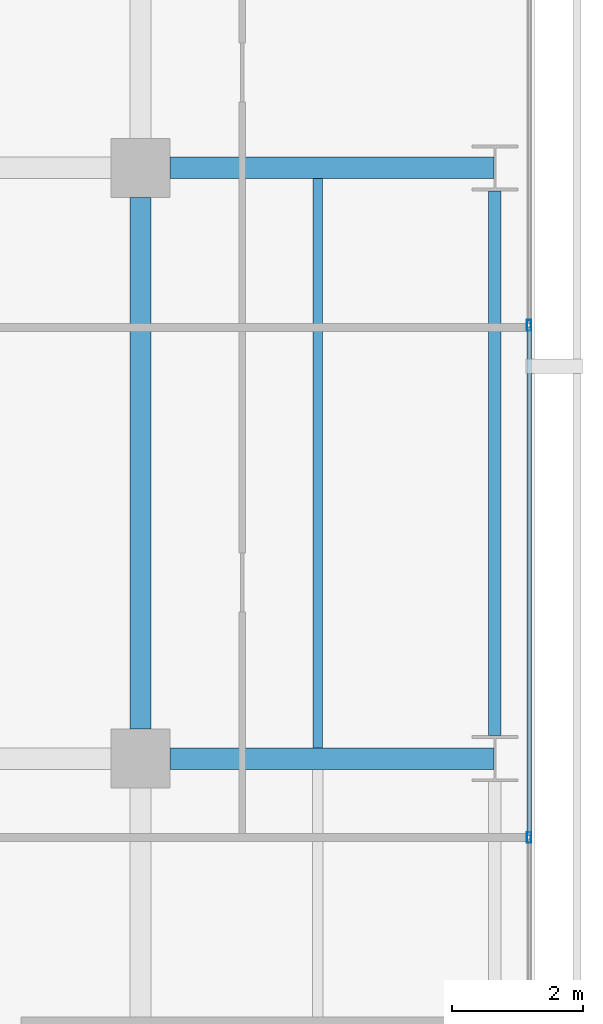
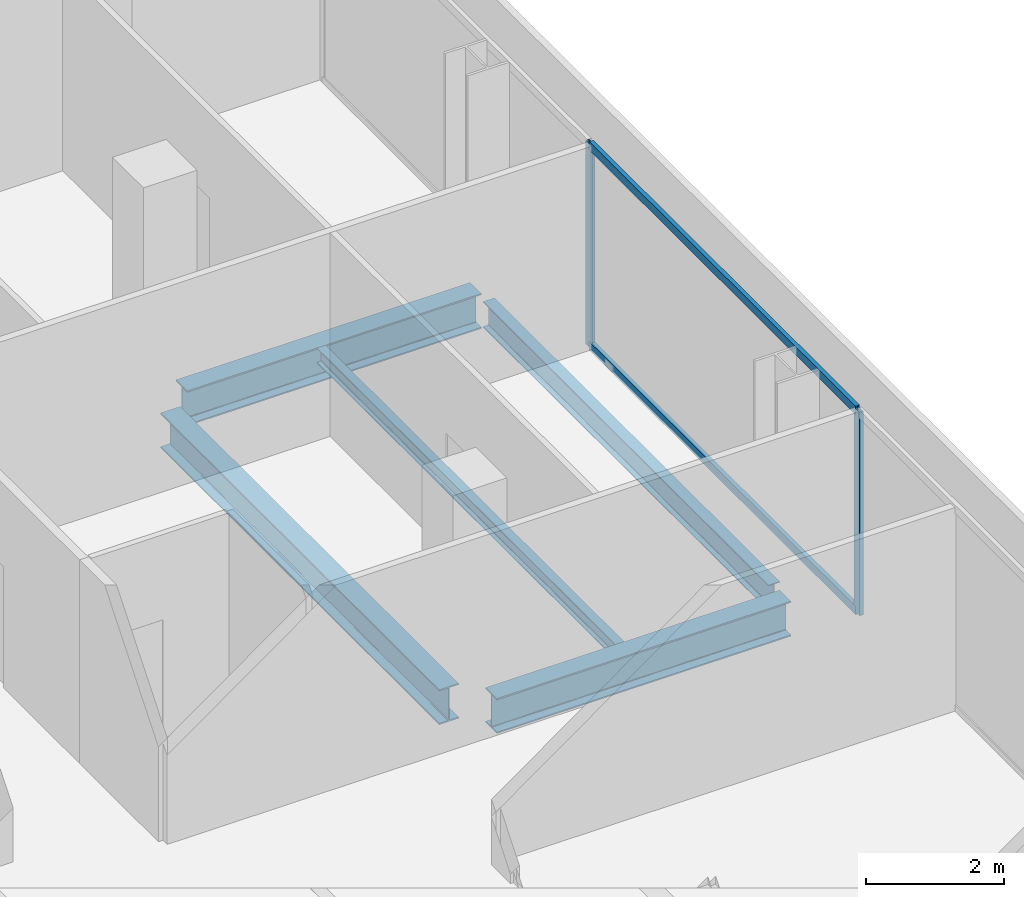
# One storey, part 28 of 40: 5 beams, 4 members, 1 element without a shape of its own.
"""IFC4 building model written with IfcOpenShell, lengths in metres."""

from ifc_helpers import new_model, si_unit, direction, frame, origin, origin_2d, place, context, subcontext, project, spatial, hollow_rectangle, i_section, extrude, material, layer, layer_set, material_profile, profile_set, type_object, element, aggregate, save


model = new_model("IFC4")

# Units and contexts
model_context = context("Model", 3, precision=1e-05, world=origin(), true_north=direction((0.0, 1.0)))
body_context = subcontext(model_context, "Body", "Model", "MODEL_VIEW")
ifc_project = project(units=[si_unit("LENGTHUNIT", "METRE"), si_unit("AREAUNIT", "SQUARE_METRE"), si_unit("VOLUMEUNIT", "CUBIC_METRE"), si_unit("PLANEANGLEUNIT", "RADIAN"), si_unit("MASSUNIT", "GRAM", prefix="KILO")], contexts=[model_context])

# Site, building, storey
site_placement = place(None, origin())
site = spatial("IfcSite", under=ifc_project, at=site_placement, CompositionType="ELEMENT")
building_placement = place(site_placement, origin())
building = spatial("IfcBuilding", under=site, at=building_placement, Name="Maruvema Waterfront Hotel and Observation Tower", CompositionType="ELEMENT")
storey_placement = place(building_placement, frame((0.0, 0.0, 53.89990234375)))
storey = spatial("IfcBuildingStorey", under=building, at=storey_placement, Name="L12", CompositionType="ELEMENT", Elevation=53.89990234375)

# Curtain wall, members
ifc_material_1 = material(Name="Anodised bronze aluminium and solar-control low-E IGU", Category="aluminium")
ifc_layer = layer(ifc_material_1, 0.159912109375, Name="Zone 1 Bronze Inner Thermal Curtain Wall System CW-02")
ifc_layer_set = layer_set([ifc_layer], Name="Anodised bronze aluminium and solar-control low-E IGU")
curtain_wall_type = type_object("IfcCurtainWallType", Name="Zone 1 Bronze Inner Thermal Curtain Wall System CW-02", PredefinedType="USERDEFINED", material=ifc_layer_set)
curtain_wall_placement = place(storey_placement, origin())
curtain_wall = element("IfcCurtainWall", 1, at=curtain_wall_placement, inside=storey, type_object=curtain_wall_type, Name="L12 Curtain Wall CW-L12-E", ObjectType="UNITISED CURTAIN WALL", PredefinedType="USERDEFINED")
ifc_material_2 = material(Name="Anodised architectural bronze aluminium", Category="aluminium")
ifc_material_profile_1 = material_profile(ifc_material_2, hollow_rectangle(XDim=0.070068359375, YDim=0.14990234375, WallThickness=0.00390625, at=origin_2d()), Name="ALU-T70x150")
ifc_profile_set_1 = profile_set([ifc_material_profile_1], Name="Anodised architectural bronze aluminium")
member_type_1 = type_object("IfcMemberType", Name="Curtain Wall Horizontal Transom ALU-T70x150", PredefinedType="USERDEFINED", material=ifc_profile_set_1)
member_1_placement = place(storey_placement, frame((64.719970703125, 34.830078125, 0.030029296875), z_axis=(0.0, 1.0, 0.0), x_axis=(-1.0, 0.0, 0.0)))
member_1 = element("IfcMember", 2, at=member_1_placement, type_object=member_type_1, Name="CW-02 transom 5.1", ObjectType="TRANSOM", PredefinedType="USERDEFINED", context=body_context, shape_type="SweptSolid", body=[
    extrude(hollow_rectangle(XDim=0.070068359375, YDim=0.14990234375, WallThickness=0.00390625, at=origin_2d()), origin(), (0.0, 0.0, 1.0), 7.739990234375),
])
member_2_placement = place(storey_placement, frame((64.719970703125, 34.830078125, 3.580078125), z_axis=(0.0, 1.0, 0.0), x_axis=(-1.0, 0.0, 0.0)))
member_2 = element("IfcMember", 3, at=member_2_placement, type_object=member_type_1, Name="CW-02 transom 5.2", ObjectType="TRANSOM", PredefinedType="USERDEFINED", context=body_context, shape_type="SweptSolid", body=[
    extrude(hollow_rectangle(XDim=0.070068359375, YDim=0.14990234375, WallThickness=0.00390625, at=origin_2d()), origin(), (0.0, 0.0, 1.0), 7.739990234375),
])
ifc_material_3 = material(Name="Anodised architectural bronze aluminium", Category="aluminium")
ifc_material_profile_2 = material_profile(ifc_material_3, hollow_rectangle(XDim=0.06494140625, YDim=0.1650390625, WallThickness=0.00390625, at=origin_2d()), Name="ALU-M65x165")
ifc_profile_set_2 = profile_set([ifc_material_profile_2], Name="Anodised architectural bronze aluminium")
member_type_2 = type_object("IfcMemberType", Name="Curtain Wall Primary Mullion ALU-M65x165", PredefinedType="MULLION", material=ifc_profile_set_2)
member_3_placement = place(storey_placement, frame((64.719970703125, 34.800048828125, 0.0), z_axis=(0.0, 0.0, 1.0), x_axis=(-1.0, 0.0, 0.0)))
member_3 = element("IfcMember", 4, at=member_3_placement, type_object=member_type_2, Name="CW-02 mullion 5", PredefinedType="MULLION", context=body_context, shape_type="SweptSolid", body=[
    extrude(hollow_rectangle(XDim=0.06494140625, YDim=0.1650390625, WallThickness=0.00390625, at=origin_2d()), origin(), (0.0, 0.0, 1.0), 3.610107421875),
])
member_4_placement = place(storey_placement, frame((64.719970703125, 42.60009765625, 0.0), z_axis=(0.0, 0.0, 1.0), x_axis=(-1.0, 0.0, 0.0)))
member_4 = element("IfcMember", 5, at=member_4_placement, type_object=member_type_2, Name="CW-02 mullion 6", PredefinedType="MULLION", context=body_context, shape_type="SweptSolid", body=[
    extrude(hollow_rectangle(XDim=0.06494140625, YDim=0.1650390625, WallThickness=0.00390625, at=origin_2d()), origin(), (0.0, 0.0, 1.0), 3.610107421875),
])
aggregate(curtain_wall, [member_3, member_4, member_1, member_2])

# Beams
ifc_material_4 = material(Name="Steel ASTM A572 Grade 50", Category="steel")
ifc_material_profile_3 = material_profile(ifc_material_4, i_section(OverallWidth=0.18994140625, OverallDepth=0.45703125, WebThickness=0.009033203125, FlangeThickness=0.014404296875, FilletRadius=0.014892578125, at=origin_2d()), Name="W460x74.0")
ifc_profile_set_3 = profile_set([ifc_material_profile_3], Name="Steel ASTM A572 Grade 50")
beam_type_1 = type_object("IfcBeamType", Name="Perimeter Spandrel Beam W460x74.0", PredefinedType="SPANDREL", material=ifc_profile_set_3)
beam_1_placement = place(storey_placement, frame((64.199951171875, 36.35009765625, -0.468505859375), z_axis=(0.0, 1.0, 0.0), x_axis=(-1.0, 0.0, 0.0)))
element("IfcBeam", 6, at=beam_1_placement, inside=storey, type_object=beam_type_1, Name="L12 Floor Girder NS-36", PredefinedType="SPANDREL", context=body_context, shape_type="SweptSolid", body=[
    extrude(i_section(OverallWidth=0.18994140625, OverallDepth=0.45703125, WebThickness=0.009033203125, FlangeThickness=0.014404296875, FilletRadius=0.014892578125, at=origin_2d()), origin(), (0.0, 0.0, 1.0), 8.2998046875),
])
ifc_material_5 = material(Name="Steel ASTM A572 Grade 50", Category="steel")
ifc_material_profile_4 = material_profile(ifc_material_5, i_section(OverallWidth=0.326904296875, OverallDepth=0.6220703125, WebThickness=0.015380859375, FlangeThickness=0.0244140625, FilletRadius=0.01806640625, at=origin_2d()), Name="W610x195.0")
ifc_profile_set_4 = profile_set([ifc_material_profile_4], Name="Steel ASTM A572 Grade 50")
beam_type_2 = type_object("IfcBeamType", Name="Primary Floor Girder W610x195.0", PredefinedType="BEAM", material=ifc_profile_set_4)
for number, where, z_axis, x_axis, name in (
    (7, (59.25, 36.0, -0.55078125), (1.0, 0.0, 0.0), (0.0, 1.0, 0.0), "L12 Floor Girder EW-31"),
    (8, (59.25, 45.0, -0.55078125), (1.0, 0.0, 0.0), (0.0, 1.0, 0.0), "L12 Floor Girder EW-35"),
):
    element("IfcBeam", number, at=place(storey_placement, frame(where, z_axis=z_axis, x_axis=x_axis)), inside=storey, type_object=beam_type_2, Name=name, PredefinedType="BEAM", context=body_context, shape_type="SweptSolid", body=[
        extrude(i_section(OverallWidth=0.326904296875, OverallDepth=0.6220703125, WebThickness=0.015380859375, FlangeThickness=0.0244140625, FilletRadius=0.01806640625, at=origin_2d()), origin(), (0.0, 0.0, 1.0), 4.93603515625),
    ])
beam_2_placement = place(storey_placement, frame((58.800048828125, 36.449951171875, -0.55078125), z_axis=(0.0, 1.0, 0.0), x_axis=(-1.0, 0.0, 0.0)))
element("IfcBeam", 9, at=beam_2_placement, inside=storey, type_object=beam_type_2, Name="L12 Floor Girder NS-31", PredefinedType="BEAM", context=body_context, shape_type="SweptSolid", body=[
    extrude(i_section(OverallWidth=0.326904296875, OverallDepth=0.6220703125, WebThickness=0.015380859375, FlangeThickness=0.0244140625, FilletRadius=0.01806640625, at=origin_2d()), origin(), (0.0, 0.0, 1.0), 8.10009765625),
])
ifc_material_6 = material(Name="Steel ASTM A572 Grade 50", Category="steel")
ifc_material_profile_5 = material_profile(ifc_material_6, i_section(OverallWidth=0.14794921875, OverallDepth=0.26611328125, WebThickness=0.007568359375, FlangeThickness=0.012939453125, FilletRadius=0.012939453125, at=origin_2d()), Name="W250x44.8")
ifc_profile_set_5 = profile_set([ifc_material_profile_5], Name="Steel ASTM A572 Grade 50")
beam_type_3 = type_object("IfcBeamType", Name="Secondary Floor Joist W250x44.8", PredefinedType="JOIST", material=ifc_profile_set_5)
beam_3_placement = place(storey_placement, frame((61.5, 36.16357421875, -0.372802734375), z_axis=(0.0, 1.0, 0.0), x_axis=(-1.0, 0.0, 0.0)))
element("IfcBeam", 10, at=beam_3_placement, inside=storey, type_object=beam_type_3, Name="L12 Secondary Floor Joist JS-24", PredefinedType="JOIST", context=body_context, shape_type="SweptSolid", body=[
    extrude(i_section(OverallWidth=0.14794921875, OverallDepth=0.26611328125, WebThickness=0.007568359375, FlangeThickness=0.012939453125, FilletRadius=0.012939453125, at=origin_2d()), origin(), (0.0, 0.0, 1.0), 8.6728515625),
])

save(model, "model.ifc")
